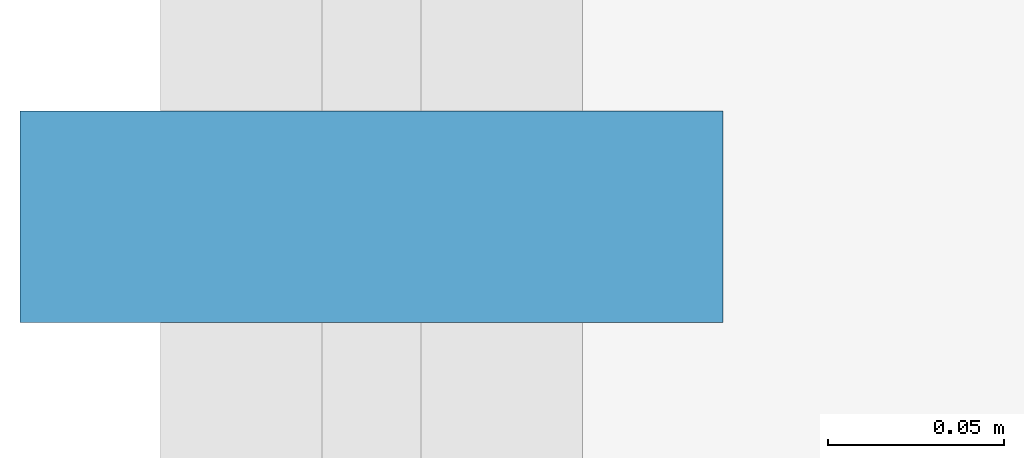
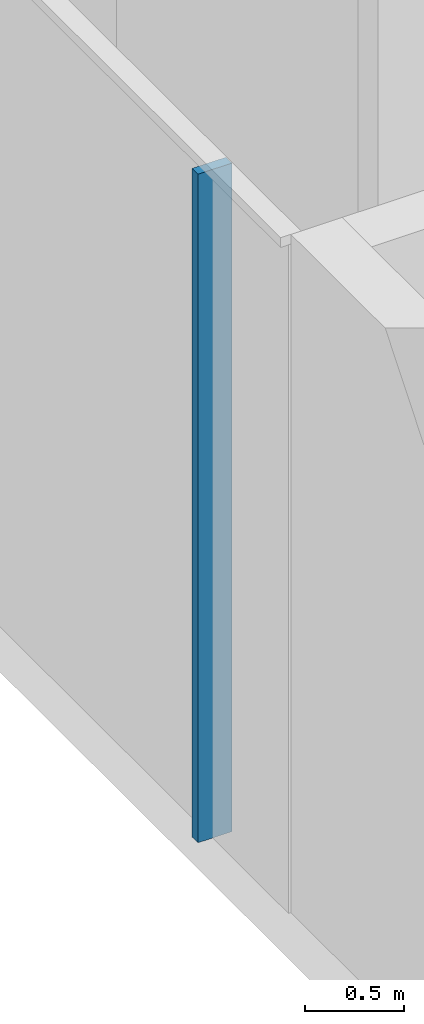
# One storey, part 11 of 45: 1 member, 1 element without a shape of its own.
"""IFC4 building model written with IfcOpenShell, lengths in metres."""

from ifc_helpers import new_model, si_unit, direction, frame, origin, origin_2d, place, context, subcontext, project, spatial, rectangle, extrude, material, layer, layer_set, material_profile, profile_set, type_object, element, aggregate, save


model = new_model("IFC4")

# Units and contexts
model_context = context("Model", 3, precision=1e-05, world=origin(), true_north=direction((0.0, 1.0)))
body_context = subcontext(model_context, "Body", "Model", "MODEL_VIEW")
ifc_project = project(units=[si_unit("LENGTHUNIT", "METRE"), si_unit("AREAUNIT", "SQUARE_METRE"), si_unit("VOLUMEUNIT", "CUBIC_METRE"), si_unit("PLANEANGLEUNIT", "RADIAN"), si_unit("MASSUNIT", "GRAM", prefix="KILO")], contexts=[model_context])

# Site, building, storey
site_placement = place(None, origin())
site = spatial("IfcSite", under=ifc_project, at=site_placement, CompositionType="ELEMENT")
building_placement = place(site_placement, origin())
building = spatial("IfcBuilding", under=site, at=building_placement, Name="Madar Terraces", CompositionType="ELEMENT")
storey_placement = place(building_placement, frame((0.0, 0.0, 6.0)))
storey = spatial("IfcBuildingStorey", under=building, at=storey_placement, Name="L01", CompositionType="ELEMENT", Elevation=6.0)

# Curtain wall, member
ifc_material_1 = material(Name="Glass, clear low-iron, with black aluminium frame", Category="aluminium")
ifc_layer = layer(ifc_material_1, 0.199951171875)
ifc_layer_set = layer_set([ifc_layer], Name="Facade curtain wall, shopfront glazing")
curtain_wall_type = type_object("IfcCurtainWallType", Name="Facade curtain wall, shopfront glazing", PredefinedType="NOTDEFINED", material=ifc_layer_set)
curtain_wall_placement = place(storey_placement, origin())
curtain_wall = element("IfcCurtainWall", 1, at=curtain_wall_placement, inside=storey, type_object=curtain_wall_type, Name="Outer skin curtain wall west bay 1", PredefinedType="NOTDEFINED")
ifc_material_2 = material(Name="Aluminium, black anodised", Category="aluminium")
ifc_material_profile = material_profile(ifc_material_2, rectangle(XDim=0.199951171875, YDim=0.06005859375, at=origin_2d()), Name="Facade mullion 60x200")
ifc_profile_set = profile_set([ifc_material_profile], Name="Aluminium, black anodised")
member_type = type_object("IfcMemberType", Name="Facade mullion 60x200", PredefinedType="MULLION", material=ifc_profile_set)
member_placement = place(storey_placement, frame((-7.199951171875, 9.60009765625, 0.0), z_axis=(0.0, 0.0, 1.0), x_axis=(1.0, 0.0, 0.0)))
member = element("IfcMember", 2, at=member_placement, type_object=member_type, Name="Mullion 9", PredefinedType="MULLION", context=body_context, shape_type="SweptSolid", body=[
    extrude(rectangle(XDim=0.199951171875, YDim=0.06005859375, at=origin_2d()), origin(), (0.0, 0.0, 1.0), 4.139892578125),
])
aggregate(curtain_wall, [member])

save(model, "model.ifc")
